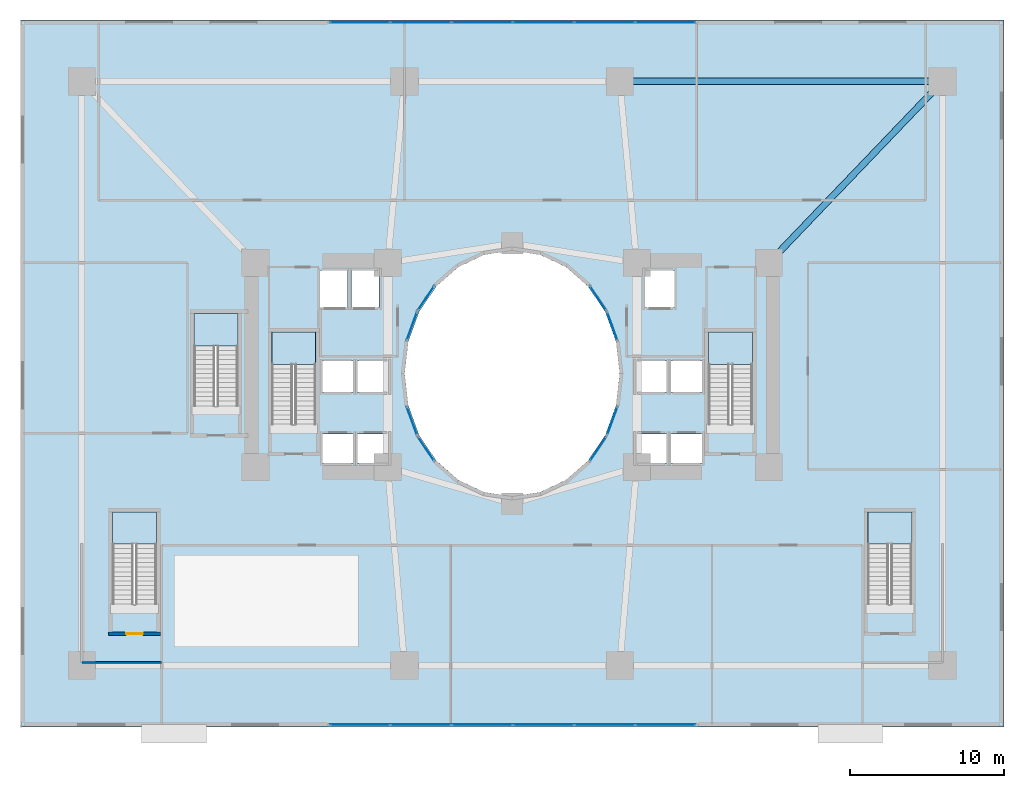
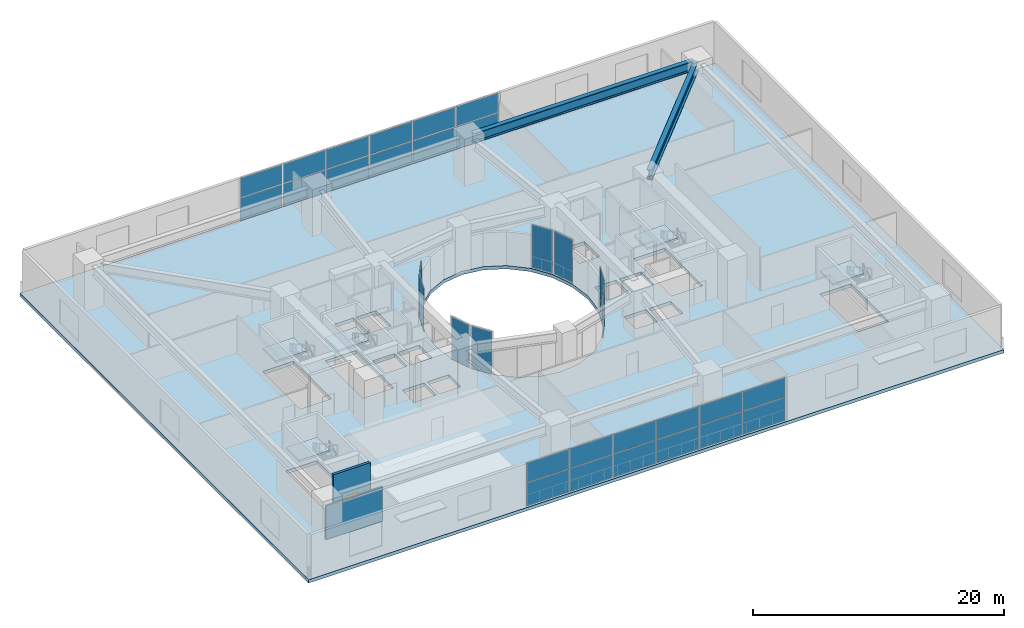
# One storey, part 14 of 25: 32 plates, 6 slabs, 2 beams, 2 walls, 1 door, 1 opening, 15 elements without a shape of their own.
"""IFC4 building model written with IfcOpenShell, lengths in metres."""

from ifc_helpers import new_model, si_unit, direction, frame, frame_2d, origin, origin_2d, place, context, subcontext, project, spatial, polyline, rectangle, i_section, outline, extrude, material, layer, layer_set, material_profile, profile_set, type_object, element, fill, aggregate, save


model = new_model("IFC4")

# Units and contexts
model_context = context("Model", 3, precision=1e-05, world=origin(), true_north=direction((0.0, 1.0)))
body_context = subcontext(model_context, "Body", "Model", "MODEL_VIEW")
ifc_project = project(units=[si_unit("LENGTHUNIT", "METRE"), si_unit("AREAUNIT", "SQUARE_METRE"), si_unit("VOLUMEUNIT", "CUBIC_METRE"), si_unit("PLANEANGLEUNIT", "RADIAN"), si_unit("MASSUNIT", "GRAM", prefix="KILO")], contexts=[model_context])

# Site, building, storey
site_placement = place(None, origin())
site = spatial("IfcSite", under=ifc_project, at=site_placement, CompositionType="ELEMENT")
building_placement = place(site_placement, origin())
building = spatial("IfcBuilding", under=site, at=building_placement, Name="Solvane Sanctuary Tower", CompositionType="ELEMENT")
storey_placement = place(building_placement, frame((0.0, 0.0, 13.800048828125)))
storey = spatial("IfcBuildingStorey", under=building, at=storey_placement, Name="L04", CompositionType="ELEMENT", Elevation=13.800048828125)

# Beams
ifc_material_1 = material(Name="Steel ASTM A913 Grade 65", Category="steel")
ifc_material_profile = material_profile(ifc_material_1, i_section(OverallWidth=0.423095703125, OverallDepth=0.947998046875, WebThickness=0.02392578125, FlangeThickness=0.042724609375, FilletRadius=0.02392578125, at=origin_2d()), Name="W36X302")
ifc_profile_set = profile_set([ifc_material_profile], Name="Steel ASTM A913 Grade 65")
beam_type = type_object("IfcBeamType", Name="Beam B-POD-GIRD W36X302", PredefinedType="BEAM", material=ifc_profile_set)
beam_1_placement = place(storey_placement, frame((59.64990234375, 42.0, 3.803955078125), z_axis=(-1.0, 0.0, 0.0), x_axis=(0.0, -1.0, 0.0)))
element("IfcBeam", 1, at=beam_1_placement, inside=storey, type_object=beam_type, Name="L04 Podium Primary Girder PG5", PredefinedType="BEAM", context=body_context, shape_type="SweptSolid", body=[
    extrude(i_section(OverallWidth=0.423095703125, OverallDepth=0.947998046875, WebThickness=0.02392578125, FlangeThickness=0.042724609375, FilletRadius=0.02392578125, at=origin_2d()), origin(), (0.0, 0.0, 1.0), 20.2998046875),
])
beam_2_placement = place(storey_placement, frame((59.7578125, 41.747314453125, 3.803955078125), z_axis=(-0.691633366234, -0.722248770654, 0.0), x_axis=(0.722248770654, -0.691633366234, 0.0)))
element("IfcBeam", 2, at=beam_2_placement, inside=storey, type_object=beam_type, Name="L04 Podium Primary Girder PG16", PredefinedType="BEAM", context=body_context, shape_type="SweptSolid", body=[
    extrude(i_section(OverallWidth=0.423095703125, OverallDepth=0.947998046875, WebThickness=0.02392578125, FlangeThickness=0.042724609375, FilletRadius=0.02392578125, at=origin_2d()), origin(), (0.0, 0.0, 1.0), 15.637939453125),
])

# Curtain wall, plates
ifc_material_2 = material(Name="Anodised Aluminium 6063-T6", Category="aluminium")
ifc_layer_1 = layer(ifc_material_2, 0.159912109375, Name="Anodised Aluminium 6063-T6")
ifc_layer_set_1 = layer_set([ifc_layer_1], Name="Anodised Aluminium 6063-T6")
curtain_wall_type_1 = type_object("IfcCurtainWallType", Name="Curtain Wall CW-POD", PredefinedType="NOTDEFINED", material=ifc_layer_set_1)
curtain_wall_1_placement = place(storey_placement, origin())
curtain_wall_1 = element("IfcCurtainWall", 3, at=curtain_wall_1_placement, inside=storey, type_object=curtain_wall_type_1, Name="L04 Sanctuary Curtain Wall S2", PredefinedType="NOTDEFINED")
ifc_material_3 = material(Name="Dark Ceramic-Fritted Low-E Glass", Category="glass")
ifc_layer_2 = layer(ifc_material_3, 0.031982421875, Name="Dark Ceramic-Fritted Low-E Glass")
ifc_layer_set_2 = layer_set([ifc_layer_2], Name="Dark Ceramic-Fritted Low-E Glass")
plate_type_1 = type_object("IfcPlateType", Name="Plate PN-FRIT-VIS", PredefinedType="CURTAIN_PANEL", material=ifc_layer_set_2)
plate_1_placement = place(storey_placement, frame((22.092041015625, 0.14990234375, 0.06494140625), z_axis=(0.0, 0.0, 1.0), x_axis=(1.0, 0.0, 0.0)))
plate_1 = element("IfcPlate", 4, at=plate_1_placement, type_object=plate_type_1, Name="CW-POD panel 1.1", PredefinedType="CURTAIN_PANEL", context=body_context, shape_type="SweptSolid", body=[
    extrude(rectangle(XDim=3.874267578125, YDim=0.031982421875, at=origin_2d()), origin(), (0.0, 0.0, 1.0), 2.202392578125),
])
plate_2_placement = place(storey_placement, frame((22.092041015625, 0.14990234375, 2.33251953125), z_axis=(0.0, 0.0, 1.0), x_axis=(1.0, 0.0, 0.0)))
plate_2 = element("IfcPlate", 5, at=plate_2_placement, type_object=plate_type_1, Name="CW-POD panel 1.2", PredefinedType="CURTAIN_PANEL", context=body_context, shape_type="SweptSolid", body=[
    extrude(rectangle(XDim=3.874267578125, YDim=0.031982421875, at=origin_2d()), origin(), (0.0, 0.0, 1.0), 1.882568359375),
])
plate_3_placement = place(storey_placement, frame((26.06005859375, 0.14990234375, 0.06494140625), z_axis=(0.0, 0.0, 1.0), x_axis=(1.0, 0.0, 0.0)))
plate_3 = element("IfcPlate", 6, at=plate_3_placement, type_object=plate_type_1, Name="CW-POD panel 2.1", PredefinedType="CURTAIN_PANEL", context=body_context, shape_type="SweptSolid", body=[
    extrude(rectangle(XDim=3.91162109375, YDim=0.031982421875, at=origin_2d()), origin(), (0.0, 0.0, 1.0), 2.202392578125),
])
plate_4_placement = place(storey_placement, frame((26.06005859375, 0.14990234375, 2.33251953125), z_axis=(0.0, 0.0, 1.0), x_axis=(1.0, 0.0, 0.0)))
plate_4 = element("IfcPlate", 7, at=plate_4_placement, type_object=plate_type_1, Name="CW-POD panel 2.2", PredefinedType="CURTAIN_PANEL", context=body_context, shape_type="SweptSolid", body=[
    extrude(rectangle(XDim=3.91162109375, YDim=0.031982421875, at=origin_2d()), origin(), (0.0, 0.0, 1.0), 1.882568359375),
])
plate_5_placement = place(storey_placement, frame((30.046630859375, 0.14990234375, 0.06494140625), z_axis=(0.0, 0.0, 1.0), x_axis=(1.0, 0.0, 0.0)))
plate_5 = element("IfcPlate", 8, at=plate_5_placement, type_object=plate_type_1, Name="CW-POD panel 3.1", PredefinedType="CURTAIN_PANEL", context=body_context, shape_type="SweptSolid", body=[
    extrude(rectangle(XDim=3.91162109375, YDim=0.031982421875, at=origin_2d()), origin(), (0.0, 0.0, 1.0), 2.202392578125),
])
plate_6_placement = place(storey_placement, frame((30.046630859375, 0.14990234375, 2.33251953125), z_axis=(0.0, 0.0, 1.0), x_axis=(1.0, 0.0, 0.0)))
plate_6 = element("IfcPlate", 9, at=plate_6_placement, type_object=plate_type_1, Name="CW-POD panel 3.2", PredefinedType="CURTAIN_PANEL", context=body_context, shape_type="SweptSolid", body=[
    extrude(rectangle(XDim=3.91162109375, YDim=0.031982421875, at=origin_2d()), origin(), (0.0, 0.0, 1.0), 1.882568359375),
])
plate_7_placement = place(storey_placement, frame((34.033447265625, 0.14990234375, 0.06494140625), z_axis=(0.0, 0.0, 1.0), x_axis=(1.0, 0.0, 0.0)))
plate_7 = element("IfcPlate", 10, at=plate_7_placement, type_object=plate_type_1, Name="CW-POD panel 4.1", PredefinedType="CURTAIN_PANEL", context=body_context, shape_type="SweptSolid", body=[
    extrude(rectangle(XDim=3.91162109375, YDim=0.031982421875, at=origin_2d()), origin(), (0.0, 0.0, 1.0), 2.202392578125),
])
plate_8_placement = place(storey_placement, frame((34.033447265625, 0.14990234375, 2.33251953125), z_axis=(0.0, 0.0, 1.0), x_axis=(1.0, 0.0, 0.0)))
plate_8 = element("IfcPlate", 11, at=plate_8_placement, type_object=plate_type_1, Name="CW-POD panel 4.2", PredefinedType="CURTAIN_PANEL", context=body_context, shape_type="SweptSolid", body=[
    extrude(rectangle(XDim=3.91162109375, YDim=0.031982421875, at=origin_2d()), origin(), (0.0, 0.0, 1.0), 1.882568359375),
])
plate_9_placement = place(storey_placement, frame((38.02001953125, 0.14990234375, 0.06494140625), z_axis=(0.0, 0.0, 1.0), x_axis=(1.0, 0.0, 0.0)))
plate_9 = element("IfcPlate", 12, at=plate_9_placement, type_object=plate_type_1, Name="CW-POD panel 5.1", PredefinedType="CURTAIN_PANEL", context=body_context, shape_type="SweptSolid", body=[
    extrude(rectangle(XDim=3.91162109375, YDim=0.031982421875, at=origin_2d()), origin(), (0.0, 0.0, 1.0), 2.202392578125),
])
plate_10_placement = place(storey_placement, frame((38.02001953125, 0.14990234375, 2.33251953125), z_axis=(0.0, 0.0, 1.0), x_axis=(1.0, 0.0, 0.0)))
plate_10 = element("IfcPlate", 13, at=plate_10_placement, type_object=plate_type_1, Name="CW-POD panel 5.2", PredefinedType="CURTAIN_PANEL", context=body_context, shape_type="SweptSolid", body=[
    extrude(rectangle(XDim=3.91162109375, YDim=0.031982421875, at=origin_2d()), origin(), (0.0, 0.0, 1.0), 1.882568359375),
])
plate_11_placement = place(storey_placement, frame((41.988037109375, 0.14990234375, 0.06494140625), z_axis=(0.0, 0.0, 1.0), x_axis=(1.0, 0.0, 0.0)))
plate_11 = element("IfcPlate", 14, at=plate_11_placement, type_object=plate_type_1, Name="CW-POD panel 6.1", PredefinedType="CURTAIN_PANEL", context=body_context, shape_type="SweptSolid", body=[
    extrude(rectangle(XDim=3.874267578125, YDim=0.031982421875, at=origin_2d()), origin(), (0.0, 0.0, 1.0), 2.202392578125),
])
plate_12_placement = place(storey_placement, frame((41.988037109375, 0.14990234375, 2.33251953125), z_axis=(0.0, 0.0, 1.0), x_axis=(1.0, 0.0, 0.0)))
plate_12 = element("IfcPlate", 15, at=plate_12_placement, type_object=plate_type_1, Name="CW-POD panel 6.2", PredefinedType="CURTAIN_PANEL", context=body_context, shape_type="SweptSolid", body=[
    extrude(rectangle(XDim=3.874267578125, YDim=0.031982421875, at=origin_2d()), origin(), (0.0, 0.0, 1.0), 1.882568359375),
])
aggregate(curtain_wall_1, [plate_1, plate_2, plate_3, plate_4, plate_5, plate_6, plate_7, plate_8, plate_9, plate_10, plate_11, plate_12])

curtain_wall_2_placement = place(storey_placement, origin())
curtain_wall_2 = element("IfcCurtainWall", 16, at=curtain_wall_2_placement, inside=storey, type_object=curtain_wall_type_1, Name="L04 Sanctuary Curtain Wall N2", PredefinedType="NOTDEFINED")
plate_13_placement = place(storey_placement, frame((41.988037109375, 45.85009765625, 0.06494140625), z_axis=(0.0, 0.0, 1.0), x_axis=(-1.0, 0.0, 0.0)))
plate_13 = element("IfcPlate", 17, at=plate_13_placement, type_object=plate_type_1, Name="CW-POD panel 1.1", PredefinedType="CURTAIN_PANEL", context=body_context, shape_type="SweptSolid", body=[
    extrude(rectangle(XDim=3.874267578125, YDim=0.031982421875, at=origin_2d()), origin(), (0.0, 0.0, 1.0), 2.202392578125),
])
plate_14_placement = place(storey_placement, frame((41.988037109375, 45.85009765625, 2.33251953125), z_axis=(0.0, 0.0, 1.0), x_axis=(-1.0, 0.0, 0.0)))
plate_14 = element("IfcPlate", 18, at=plate_14_placement, type_object=plate_type_1, Name="CW-POD panel 1.2", PredefinedType="CURTAIN_PANEL", context=body_context, shape_type="SweptSolid", body=[
    extrude(rectangle(XDim=3.874267578125, YDim=0.031982421875, at=origin_2d()), origin(), (0.0, 0.0, 1.0), 1.882568359375),
])
plate_15_placement = place(storey_placement, frame((38.02001953125, 45.85009765625, 0.06494140625), z_axis=(0.0, 0.0, 1.0), x_axis=(-1.0, 0.0, 0.0)))
plate_15 = element("IfcPlate", 19, at=plate_15_placement, type_object=plate_type_1, Name="CW-POD panel 2.1", PredefinedType="CURTAIN_PANEL", context=body_context, shape_type="SweptSolid", body=[
    extrude(rectangle(XDim=3.91162109375, YDim=0.031982421875, at=origin_2d()), origin(), (0.0, 0.0, 1.0), 2.202392578125),
])
plate_16_placement = place(storey_placement, frame((38.02001953125, 45.85009765625, 2.33251953125), z_axis=(0.0, 0.0, 1.0), x_axis=(-1.0, 0.0, 0.0)))
plate_16 = element("IfcPlate", 20, at=plate_16_placement, type_object=plate_type_1, Name="CW-POD panel 2.2", PredefinedType="CURTAIN_PANEL", context=body_context, shape_type="SweptSolid", body=[
    extrude(rectangle(XDim=3.91162109375, YDim=0.031982421875, at=origin_2d()), origin(), (0.0, 0.0, 1.0), 1.882568359375),
])
plate_17_placement = place(storey_placement, frame((34.033447265625, 45.85009765625, 0.06494140625), z_axis=(0.0, 0.0, 1.0), x_axis=(-1.0, 0.0, 0.0)))
plate_17 = element("IfcPlate", 21, at=plate_17_placement, type_object=plate_type_1, Name="CW-POD panel 3.1", PredefinedType="CURTAIN_PANEL", context=body_context, shape_type="SweptSolid", body=[
    extrude(rectangle(XDim=3.91162109375, YDim=0.031982421875, at=origin_2d()), origin(), (0.0, 0.0, 1.0), 2.202392578125),
])
plate_18_placement = place(storey_placement, frame((34.033447265625, 45.85009765625, 2.33251953125), z_axis=(0.0, 0.0, 1.0), x_axis=(-1.0, 0.0, 0.0)))
plate_18 = element("IfcPlate", 22, at=plate_18_placement, type_object=plate_type_1, Name="CW-POD panel 3.2", PredefinedType="CURTAIN_PANEL", context=body_context, shape_type="SweptSolid", body=[
    extrude(rectangle(XDim=3.91162109375, YDim=0.031982421875, at=origin_2d()), origin(), (0.0, 0.0, 1.0), 1.882568359375),
])
plate_19_placement = place(storey_placement, frame((30.046630859375, 45.85009765625, 0.06494140625), z_axis=(0.0, 0.0, 1.0), x_axis=(-1.0, 0.0, 0.0)))
plate_19 = element("IfcPlate", 23, at=plate_19_placement, type_object=plate_type_1, Name="CW-POD panel 4.1", PredefinedType="CURTAIN_PANEL", context=body_context, shape_type="SweptSolid", body=[
    extrude(rectangle(XDim=3.91162109375, YDim=0.031982421875, at=origin_2d()), origin(), (0.0, 0.0, 1.0), 2.202392578125),
])
plate_20_placement = place(storey_placement, frame((30.046630859375, 45.85009765625, 2.33251953125), z_axis=(0.0, 0.0, 1.0), x_axis=(-1.0, 0.0, 0.0)))
plate_20 = element("IfcPlate", 24, at=plate_20_placement, type_object=plate_type_1, Name="CW-POD panel 4.2", PredefinedType="CURTAIN_PANEL", context=body_context, shape_type="SweptSolid", body=[
    extrude(rectangle(XDim=3.91162109375, YDim=0.031982421875, at=origin_2d()), origin(), (0.0, 0.0, 1.0), 1.882568359375),
])
plate_21_placement = place(storey_placement, frame((26.06005859375, 45.85009765625, 0.06494140625), z_axis=(0.0, 0.0, 1.0), x_axis=(-1.0, 0.0, 0.0)))
plate_21 = element("IfcPlate", 25, at=plate_21_placement, type_object=plate_type_1, Name="CW-POD panel 5.1", PredefinedType="CURTAIN_PANEL", context=body_context, shape_type="SweptSolid", body=[
    extrude(rectangle(XDim=3.91162109375, YDim=0.031982421875, at=origin_2d()), origin(), (0.0, 0.0, 1.0), 2.202392578125),
])
plate_22_placement = place(storey_placement, frame((26.06005859375, 45.85009765625, 2.33251953125), z_axis=(0.0, 0.0, 1.0), x_axis=(-1.0, 0.0, 0.0)))
plate_22 = element("IfcPlate", 26, at=plate_22_placement, type_object=plate_type_1, Name="CW-POD panel 5.2", PredefinedType="CURTAIN_PANEL", context=body_context, shape_type="SweptSolid", body=[
    extrude(rectangle(XDim=3.91162109375, YDim=0.031982421875, at=origin_2d()), origin(), (0.0, 0.0, 1.0), 1.882568359375),
])
plate_23_placement = place(storey_placement, frame((22.092041015625, 45.85009765625, 0.06494140625), z_axis=(0.0, 0.0, 1.0), x_axis=(-1.0, 0.0, 0.0)))
plate_23 = element("IfcPlate", 27, at=plate_23_placement, type_object=plate_type_1, Name="CW-POD panel 6.1", PredefinedType="CURTAIN_PANEL", context=body_context, shape_type="SweptSolid", body=[
    extrude(rectangle(XDim=3.874267578125, YDim=0.031982421875, at=origin_2d()), origin(), (0.0, 0.0, 1.0), 2.202392578125),
])
plate_24_placement = place(storey_placement, frame((22.092041015625, 45.85009765625, 2.33251953125), z_axis=(0.0, 0.0, 1.0), x_axis=(-1.0, 0.0, 0.0)))
plate_24 = element("IfcPlate", 28, at=plate_24_placement, type_object=plate_type_1, Name="CW-POD panel 6.2", PredefinedType="CURTAIN_PANEL", context=body_context, shape_type="SweptSolid", body=[
    extrude(rectangle(XDim=3.874267578125, YDim=0.031982421875, at=origin_2d()), origin(), (0.0, 0.0, 1.0), 1.882568359375),
])
aggregate(curtain_wall_2, [plate_13, plate_14, plate_15, plate_16, plate_17, plate_18, plate_19, plate_20, plate_21, plate_22, plate_23, plate_24])

# Curtain wall, plate
ifc_layer_3 = layer(ifc_material_2, 0.199951171875, Name="Anodised Aluminium 6063-T6")
ifc_layer_set_3 = layer_set([ifc_layer_3], Name="Anodised Aluminium 6063-T6")
curtain_wall_type_2 = type_object("IfcCurtainWallType", Name="Curtain Wall CW-WELL", PredefinedType="NOTDEFINED", material=ifc_layer_set_3)
curtain_wall_3_placement = place(storey_placement, origin())
curtain_wall_3 = element("IfcCurtainWall", 29, at=curtain_wall_3_placement, inside=storey, type_object=curtain_wall_type_2, Name="L04 Light-Well Curtain Wall 01", PredefinedType="NOTDEFINED")
ifc_material_4 = material(Name="Clear Laminated Light-Well Glass", Category="glass")
ifc_layer_4 = layer(ifc_material_4, 0.02392578125, Name="Clear Laminated Light-Well Glass")
ifc_layer_set_4 = layer_set([ifc_layer_4], Name="Clear Laminated Light-Well Glass")
plate_type_2 = type_object("IfcPlateType", Name="Plate PN-WELL-GLZ", PredefinedType="CURTAIN_PANEL", material=ifc_layer_set_4)
plate_25_placement = place(storey_placement, frame((38.521728515625, 26.080810546875, 0.06494140625), z_axis=(0.0, 0.0, 1.0), x_axis=(-0.341346289067, 0.939937610132, 0.0)))
plate_25 = element("IfcPlate", 30, at=plate_25_placement, type_object=plate_type_2, Name="CW-WELL panel 1.1", PredefinedType="CURTAIN_PANEL", context=body_context, shape_type="SweptSolid", body=[
    extrude(rectangle(XDim=1.87353515625, YDim=0.02392578125, at=origin_2d()), origin(), (0.0, 0.0, 1.0), 4.14990234375),
])
aggregate(curtain_wall_3, [plate_25])

curtain_wall_4_placement = place(storey_placement, origin())
curtain_wall_4 = element("IfcCurtainWall", 31, at=curtain_wall_4_placement, inside=storey, type_object=curtain_wall_type_2, Name="L04 Light-Well Curtain Wall 02", PredefinedType="NOTDEFINED")
plate_26_placement = place(storey_placement, frame((37.600341796875, 27.90087890625, 0.06494140625), z_axis=(0.0, 0.0, 1.0), x_axis=(-0.558262839559, 0.829664150104, 0.0)))
plate_26 = element("IfcPlate", 32, at=plate_26_placement, type_object=plate_type_2, Name="CW-WELL panel 1.1", PredefinedType="CURTAIN_PANEL", context=body_context, shape_type="SweptSolid", body=[
    extrude(rectangle(XDim=1.81689453125, YDim=0.02392578125, at=origin_2d()), origin(), (0.0, 0.0, 1.0), 4.14990234375),
])
aggregate(curtain_wall_4, [plate_26])

curtain_wall_5_placement = place(storey_placement, origin())
curtain_wall_5 = element("IfcCurtainWall", 33, at=curtain_wall_5_placement, inside=storey, type_object=curtain_wall_type_2, Name="L04 Light-Well Curtain Wall 09", PredefinedType="NOTDEFINED")
plate_27_placement = place(storey_placement, frame((26.399658203125, 27.90087890625, 0.06494140625), z_axis=(0.0, 0.0, 1.0), x_axis=(-0.558262839559, -0.829664150104, 0.0)))
plate_27 = element("IfcPlate", 34, at=plate_27_placement, type_object=plate_type_2, Name="CW-WELL panel 1.1", PredefinedType="CURTAIN_PANEL", context=body_context, shape_type="SweptSolid", body=[
    extrude(rectangle(XDim=1.81689453125, YDim=0.02392578125, at=origin_2d()), origin(), (0.0, 0.0, 1.0), 4.14990234375),
])
aggregate(curtain_wall_5, [plate_27])

curtain_wall_6_placement = place(storey_placement, origin())
curtain_wall_6 = element("IfcCurtainWall", 35, at=curtain_wall_6_placement, inside=storey, type_object=curtain_wall_type_2, Name="L04 Light-Well Curtain Wall 10", PredefinedType="NOTDEFINED")
plate_28_placement = place(storey_placement, frame((25.478271484375, 26.080810546875, 0.06494140625), z_axis=(0.0, 0.0, 1.0), x_axis=(-0.341346289067, -0.939937610132, 0.0)))
plate_28 = element("IfcPlate", 36, at=plate_28_placement, type_object=plate_type_2, Name="CW-WELL panel 1.1", PredefinedType="CURTAIN_PANEL", context=body_context, shape_type="SweptSolid", body=[
    extrude(rectangle(XDim=1.87353515625, YDim=0.02392578125, at=origin_2d()), origin(), (0.0, 0.0, 1.0), 4.14990234375),
])
aggregate(curtain_wall_6, [plate_28])

curtain_wall_7_placement = place(storey_placement, origin())
curtain_wall_7 = element("IfcCurtainWall", 37, at=curtain_wall_7_placement, inside=storey, type_object=curtain_wall_type_2, Name="L04 Light-Well Curtain Wall 13", PredefinedType="NOTDEFINED")
plate_29_placement = place(storey_placement, frame((25.478271484375, 19.919189453125, 0.06494140625), z_axis=(0.0, 0.0, 1.0), x_axis=(0.341346289067, -0.939937610132, 0.0)))
plate_29 = element("IfcPlate", 38, at=plate_29_placement, type_object=plate_type_2, Name="CW-WELL panel 1.1", PredefinedType="CURTAIN_PANEL", context=body_context, shape_type="SweptSolid", body=[
    extrude(rectangle(XDim=1.87353515625, YDim=0.02392578125, at=origin_2d()), origin(), (0.0, 0.0, 1.0), 4.14990234375),
])
aggregate(curtain_wall_7, [plate_29])

curtain_wall_8_placement = place(storey_placement, origin())
curtain_wall_8 = element("IfcCurtainWall", 39, at=curtain_wall_8_placement, inside=storey, type_object=curtain_wall_type_2, Name="L04 Light-Well Curtain Wall 14", PredefinedType="NOTDEFINED")
plate_30_placement = place(storey_placement, frame((26.399658203125, 18.09912109375, 0.06494140625), z_axis=(0.0, 0.0, 1.0), x_axis=(0.558262839559, -0.829664150104, 0.0)))
plate_30 = element("IfcPlate", 40, at=plate_30_placement, type_object=plate_type_2, Name="CW-WELL panel 1.1", PredefinedType="CURTAIN_PANEL", context=body_context, shape_type="SweptSolid", body=[
    extrude(rectangle(XDim=1.81689453125, YDim=0.02392578125, at=origin_2d()), origin(), (0.0, 0.0, 1.0), 4.14990234375),
])
aggregate(curtain_wall_8, [plate_30])

curtain_wall_9_placement = place(storey_placement, origin())
curtain_wall_9 = element("IfcCurtainWall", 41, at=curtain_wall_9_placement, inside=storey, type_object=curtain_wall_type_2, Name="L04 Light-Well Curtain Wall 21", PredefinedType="NOTDEFINED")
plate_31_placement = place(storey_placement, frame((37.600341796875, 18.09912109375, 0.06494140625), z_axis=(0.0, 0.0, 1.0), x_axis=(0.558262839559, 0.829664150104, 0.0)))
plate_31 = element("IfcPlate", 42, at=plate_31_placement, type_object=plate_type_2, Name="CW-WELL panel 1.1", PredefinedType="CURTAIN_PANEL", context=body_context, shape_type="SweptSolid", body=[
    extrude(rectangle(XDim=1.81689453125, YDim=0.02392578125, at=origin_2d()), origin(), (0.0, 0.0, 1.0), 4.14990234375),
])
aggregate(curtain_wall_9, [plate_31])

curtain_wall_10_placement = place(storey_placement, origin())
curtain_wall_10 = element("IfcCurtainWall", 43, at=curtain_wall_10_placement, inside=storey, type_object=curtain_wall_type_2, Name="L04 Light-Well Curtain Wall 22", PredefinedType="NOTDEFINED")
plate_32_placement = place(storey_placement, frame((38.521728515625, 19.919189453125, 0.06494140625), z_axis=(0.0, 0.0, 1.0), x_axis=(0.341346289067, 0.939937610132, 0.0)))
plate_32 = element("IfcPlate", 44, at=plate_32_placement, type_object=plate_type_2, Name="CW-WELL panel 1.1", PredefinedType="CURTAIN_PANEL", context=body_context, shape_type="SweptSolid", body=[
    extrude(rectangle(XDim=1.87353515625, YDim=0.02392578125, at=origin_2d()), origin(), (0.0, 0.0, 1.0), 4.14990234375),
])
aggregate(curtain_wall_10, [plate_32])

# Stair, slab
ifc_material_5 = material(Name="Concrete C45/55", Category="concrete")
stair_type_1 = type_object("IfcStairType", Name="Stair ST-TOW", PredefinedType="HALF_TURN_STAIR", material=ifc_material_5)
stair_1_placement = place(storey_placement, origin())
stair_1 = element("IfcStair", 45, at=stair_1_placement, inside=storey, type_object=stair_type_1, Name="L04 Exit Stair ST-1 West Core", PredefinedType="HALF_TURN_STAIR")
ifc_layer_5 = layer(ifc_material_5, 0.199951171875, Name="Concrete C45/55")
ifc_layer_set_5 = layer_set([ifc_layer_5], Name="Concrete C45/55")
slab_type_1 = type_object("IfcSlabType", Name="Slab SL-LAND-180", PredefinedType="LANDING", material=ifc_layer_set_5)
slab_1_placement = place(storey_placement, frame((0.0, 0.0, 2.099853515625)))
slab_1 = element("IfcSlab", 46, at=slab_1_placement, type_object=slab_type_1, Name="ST-1 landing 1", PredefinedType="LANDING", context=body_context, shape_type="SweptSolid", body=[
    extrude(outline(polyline([(19.219970703125, 23.60009765625), (19.219970703125, 25.699951171875), (16.360107421875, 25.699951171875), (16.360107421875, 23.60009765625), (19.219970703125, 23.60009765625)])), origin(), (0.0, 0.0, 1.0), 0.2001953125),
])
aggregate(stair_1, [slab_1])

stair_2_placement = place(storey_placement, origin())
stair_2 = element("IfcStair", 47, at=stair_2_placement, inside=storey, type_object=stair_type_1, Name="L04 Exit Stair ST-2 East Core", PredefinedType="HALF_TURN_STAIR")
slab_2_placement = place(storey_placement, frame((0.0, 0.0, 2.099853515625)))
slab_2 = element("IfcSlab", 48, at=slab_2_placement, type_object=slab_type_1, Name="ST-2 landing 1", PredefinedType="LANDING", context=body_context, shape_type="SweptSolid", body=[
    extrude(outline(polyline([(47.639892578125, 23.60009765625), (47.639892578125, 25.699951171875), (44.780029296875, 25.699951171875), (44.780029296875, 23.60009765625), (47.639892578125, 23.60009765625)])), origin(), (0.0, 0.0, 1.0), 0.2001953125),
])
aggregate(stair_2, [slab_2])

stair_3_placement = place(storey_placement, origin())
stair_3 = element("IfcStair", 49, at=stair_3_placement, inside=storey, type_object=stair_type_1, Name="L04 Exit Stair ST-3 Pilgrim Tower Stair", PredefinedType="HALF_TURN_STAIR")
slab_3_placement = place(storey_placement, frame((0.0, 0.0, 2.099853515625)))
slab_3 = element("IfcSlab", 50, at=slab_3_placement, type_object=slab_type_1, Name="ST-3 landing 1", PredefinedType="LANDING", context=body_context, shape_type="SweptSolid", body=[
    extrude(outline(polyline([(14.159912109375, 24.800048828125), (14.159912109375, 26.89990234375), (11.300048828125, 26.89990234375), (11.300048828125, 24.800048828125), (14.159912109375, 24.800048828125)])), origin(), (0.0, 0.0, 1.0), 0.2001953125),
])
aggregate(stair_3, [slab_3])

ifc_material_6 = material(Name="Concrete C50/60", Category="concrete")
stair_type_2 = type_object("IfcStairType", Name="Stair ST-POD", PredefinedType="HALF_TURN_STAIR", material=ifc_material_6)
stair_4_placement = place(storey_placement, origin())
stair_4 = element("IfcStair", 51, at=stair_4_placement, inside=storey, type_object=stair_type_2, Name="L04 Exit Stair ST-4 Metro West Stair", PredefinedType="HALF_TURN_STAIR")
slab_4_placement = place(storey_placement, frame((0.0, 0.0, 2.099853515625)))
slab_4 = element("IfcSlab", 52, at=slab_4_placement, type_object=slab_type_1, Name="ST-4 landing 1", PredefinedType="LANDING", context=body_context, shape_type="SweptSolid", body=[
    extrude(outline(polyline([(8.860107421875, 11.89990234375), (8.860107421875, 14.0), (6.0, 14.0), (6.0, 11.89990234375), (8.860107421875, 11.89990234375)])), origin(), (0.0, 0.0, 1.0), 0.2001953125),
])
aggregate(stair_4, [slab_4])

stair_type_3 = type_object("IfcStairType", Name="Stair ST-METRO", PredefinedType="HALF_TURN_STAIR", material=ifc_material_6)
stair_5_placement = place(storey_placement, origin())
stair_5 = element("IfcStair", 53, at=stair_5_placement, inside=storey, type_object=stair_type_3, Name="L04 Exit Stair ST-5 Metro East Stair", PredefinedType="HALF_TURN_STAIR")
slab_5_placement = place(storey_placement, frame((0.0, 0.0, 2.099853515625)))
slab_5 = element("IfcSlab", 54, at=slab_5_placement, type_object=slab_type_1, Name="ST-5 landing 1", PredefinedType="LANDING", context=body_context, shape_type="SweptSolid", body=[
    extrude(outline(polyline([(58.0, 11.89990234375), (58.0, 14.0), (55.139892578125, 14.0), (55.139892578125, 11.89990234375), (58.0, 11.89990234375)])), origin(), (0.0, 0.0, 1.0), 0.2001953125),
])
aggregate(stair_5, [slab_5])

# Slab
ifc_layer_6 = layer(ifc_material_6, 0.320068359375, Name="Concrete C50/60")
ifc_layer_set_6 = layer_set([ifc_layer_6], Name="Concrete C50/60")
slab_type_2 = type_object("IfcSlabType", Name="Slab SL-POD-300", PredefinedType="FLOOR", material=ifc_layer_set_6)
slab_6_placement = place(storey_placement, frame((0.0, 0.0, -0.320068359375)))
element("IfcSlab", 55, at=slab_6_placement, inside=storey, type_object=slab_type_2, Name="L04 Primary Structural Slab", PredefinedType="FLOOR", context=body_context, shape_type="SweptSolid", body=[
    extrude(outline(polyline([(0.0, 0.0), (64.0, 0.0), (64.0, 46.0), (0.0, 46.0), (0.0, 0.0)]), holes=[polyline([(38.761474609375, 20.929443359375), (38.062255859375, 19.0), (36.94970703125, 17.343017578125), (35.5, 16.07177734375), (33.811767578125, 15.272705078125), (32.0, 15.0), (30.188232421875, 15.272705078125), (28.5, 16.07177734375), (27.05029296875, 17.343017578125), (25.937744140625, 19.0), (25.238525390625, 20.929443359375), (25.0, 23.0), (25.238525390625, 25.070556640625), (25.937744140625, 27.0), (27.05029296875, 28.656982421875), (28.5, 29.92822265625), (30.188232421875, 30.727294921875), (32.0, 31.0), (33.811767578125, 30.727294921875), (35.5, 29.92822265625), (36.94970703125, 28.656982421875), (38.062255859375, 27.0), (38.761474609375, 25.070556640625), (39.0, 23.0), (38.761474609375, 20.929443359375)]), polyline([(16.360107421875, 19.699951171875), (16.360107421875, 25.699951171875), (19.219970703125, 25.699951171875), (19.219970703125, 19.699951171875), (16.360107421875, 19.699951171875)]), polyline([(44.780029296875, 19.699951171875), (44.780029296875, 25.699951171875), (47.639892578125, 25.699951171875), (47.639892578125, 19.699951171875), (44.780029296875, 19.699951171875)]), polyline([(11.300048828125, 20.89990234375), (11.300048828125, 26.89990234375), (14.159912109375, 26.89990234375), (14.159912109375, 20.89990234375), (11.300048828125, 20.89990234375)]), polyline([(6.0, 8.0), (6.0, 14.0), (8.860107421875, 14.0), (8.860107421875, 8.0), (6.0, 8.0)]), polyline([(55.139892578125, 8.0), (55.139892578125, 14.0), (58.0, 14.0), (58.0, 8.0), (55.139892578125, 8.0)]), polyline([(19.64990234375, 19.080078125), (21.64990234375, 19.080078125), (21.64990234375, 17.179931640625), (19.64990234375, 17.179931640625), (19.64990234375, 19.080078125)]), polyline([(21.949951171875, 19.080078125), (23.949951171875, 19.080078125), (23.949951171875, 17.179931640625), (21.949951171875, 17.179931640625), (21.949951171875, 19.080078125)]), polyline([(40.050048828125, 19.080078125), (42.050048828125, 19.080078125), (42.050048828125, 17.179931640625), (40.050048828125, 17.179931640625), (40.050048828125, 19.080078125)]), polyline([(42.35009765625, 19.080078125), (44.35009765625, 19.080078125), (44.35009765625, 17.179931640625), (42.35009765625, 17.179931640625), (42.35009765625, 19.080078125)]), polyline([(19.64990234375, 23.800048828125), (21.64990234375, 23.800048828125), (21.64990234375, 21.800048828125), (19.64990234375, 21.800048828125), (19.64990234375, 23.800048828125)]), polyline([(42.35009765625, 23.800048828125), (44.35009765625, 23.800048828125), (44.35009765625, 21.800048828125), (42.35009765625, 21.800048828125), (42.35009765625, 23.800048828125)]), polyline([(21.949951171875, 23.800048828125), (23.949951171875, 23.800048828125), (23.949951171875, 21.800048828125), (21.949951171875, 21.800048828125), (21.949951171875, 23.800048828125)]), polyline([(40.050048828125, 23.800048828125), (42.050048828125, 23.800048828125), (42.050048828125, 21.800048828125), (40.050048828125, 21.800048828125), (40.050048828125, 23.800048828125)]), polyline([(19.5, 29.699951171875), (21.300048828125, 29.699951171875), (21.300048828125, 27.300048828125), (19.5, 27.300048828125), (19.5, 29.699951171875)]), polyline([(21.550048828125, 29.699951171875), (23.35009765625, 29.699951171875), (23.35009765625, 27.300048828125), (21.550048828125, 27.300048828125), (21.550048828125, 29.699951171875)]), polyline([(40.64990234375, 29.699951171875), (42.550048828125, 29.699951171875), (42.550048828125, 27.300048828125), (40.64990234375, 27.300048828125), (40.64990234375, 29.699951171875)])]), origin(), (0.0, 0.0, 1.0), 0.320068359375),
])

# Wall
ifc_material_7 = material(Name="Acoustic Gypsum Partition Board")
ifc_layer_7 = layer(ifc_material_7, 0.14990234375, Name="Acoustic Gypsum Partition Board")
ifc_layer_set_7 = layer_set([ifc_layer_7], Name="Acoustic Gypsum Partition Board")
wall_type_1 = type_object("IfcWallType", Name="Wall W-CORR-150", PredefinedType="PARTITIONING", material=ifc_layer_set_7)
wall_1_placement = place(storey_placement, frame((4.0, 4.199951171875, 0.0), z_axis=(0.0, 0.0, 1.0), x_axis=(1.0, 0.0, 0.0)))
element("IfcWall", 56, at=wall_1_placement, inside=storey, type_object=wall_type_1, Name="L04 ST-4 Lobby South Wall", PredefinedType="PARTITIONING", context=body_context, shape_type="SweptSolid", body=[
    extrude(rectangle(XDim=5.199951171875, YDim=0.14990234375, at=frame_2d((2.60009765625, 0.0))), origin(), (0.0, 0.0, 1.0), 3.300048828125),
])

# Wall, opening, door
ifc_layer_8 = layer(ifc_material_6, 0.25, Name="Concrete C50/60")
ifc_layer_set_8 = layer_set([ifc_layer_8], Name="Concrete C50/60")
wall_type_2 = type_object("IfcWallType", Name="Wall W-SHAFT-250", PredefinedType="SOLIDWALL", material=ifc_layer_set_8)
wall_2_placement = place(storey_placement, frame((5.7451171875, 6.070068359375, 0.0), z_axis=(0.0, 0.0, 1.0), x_axis=(1.0, 0.0, 0.0)))
wall_2 = element("IfcWall", 57, at=wall_2_placement, inside=storey, type_object=wall_type_2, Name="L04 ST-4 Load-Bearing Shaft Wall S", PredefinedType="SOLIDWALL", context=body_context, shape_type="SweptSolid", body=[
    extrude(rectangle(XDim=3.369873046875, YDim=0.25, at=frame_2d((1.68505859375, 0.0))), origin(), (0.0, 0.0, 1.0), 4.599853515625),
])
opening_placement = place(wall_2_placement, frame((1.135009765625, 0.0, 0.0)))
opening = element("IfcOpeningElement", 58, at=opening_placement, cuts=wall_2, Name="Opening D-L04-04", PredefinedType="OPENING", context=body_context, shape_type="SweptSolid", body=[
    extrude(rectangle(XDim=1.10009765625, YDim=2.10009765625, at=frame_2d((0.550048828125, 1.050048828125))), frame((0.0, 0.135009765625, 0.0), z_axis=(0.0, -1.0, 0.0), x_axis=(1.0, 0.0, 0.0)), (0.0, 0.0, 1.0), 0.27001953125),
])
ifc_material_8 = material(Name="Architectural Stainless Steel 316", Category="steel")
door_type = type_object("IfcDoorType", Name="Door D-STAIR", OperationType="NOTDEFINED", PredefinedType="DOOR", material=ifc_material_8)
door_placement = place(opening_placement, origin())
door = element("IfcDoor", 59, at=door_placement, inside=storey, type_object=door_type, Name="L04 ST-4 Exit Stair Fire Door", OperationType="SINGLE_SWING_LEFT", OverallHeight=2.10009765625, OverallWidth=1.10009765625, PredefinedType="DOOR", context=body_context, shape_type="SweptSolid", body=[
    extrude(rectangle(XDim=1.10009765625, YDim=2.10009765625, at=frame_2d((0.550048828125, 1.050048828125))), frame((0.0, 0.02490234375, 0.0), z_axis=(0.0, -1.0, 0.0), x_axis=(1.0, 0.0, 0.0)), (0.0, 0.0, 1.0), 0.050048828125),
])
fill(opening, door)

save(model, "model.ifc")
